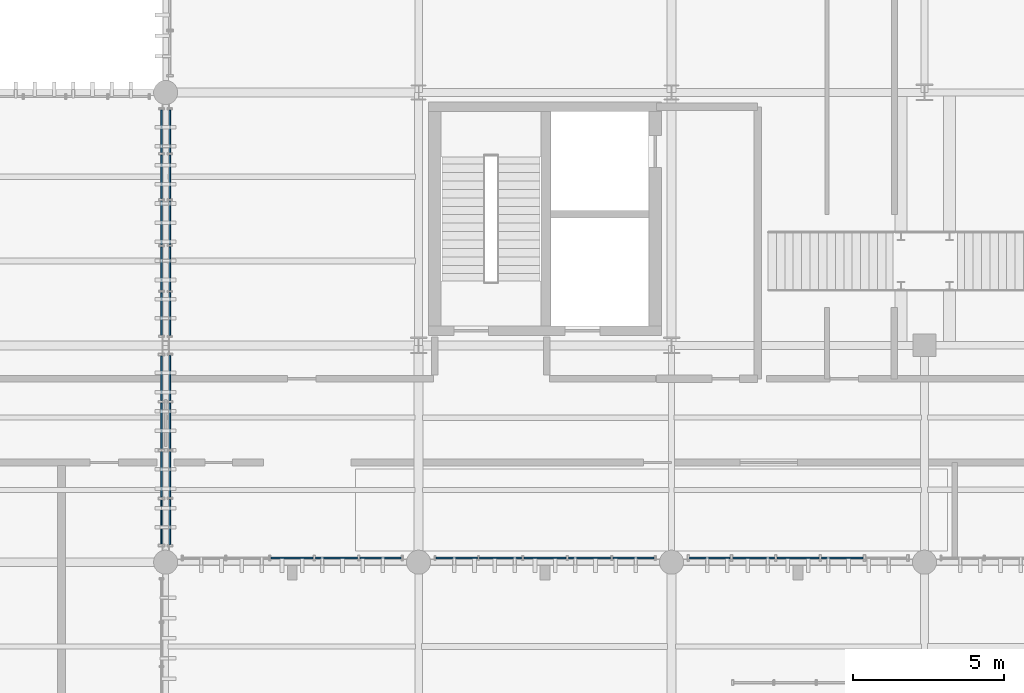
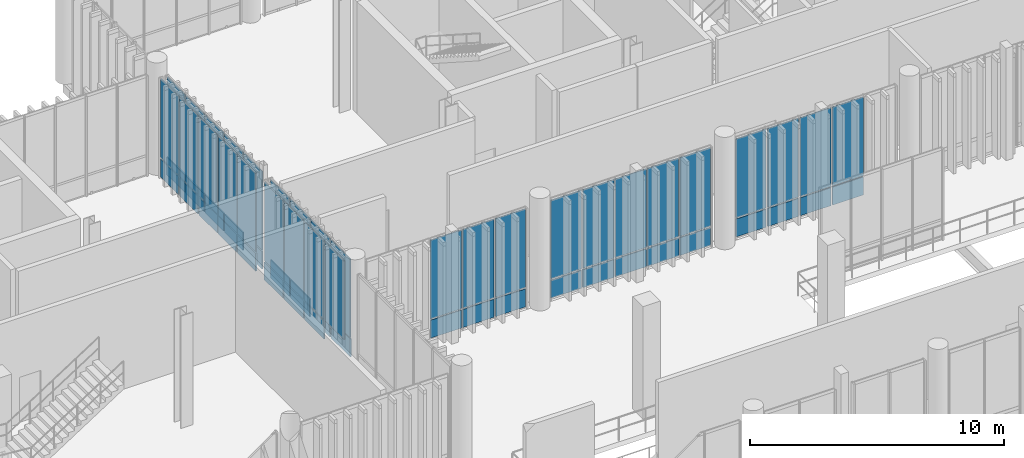
# One storey, part 96 of 128: 59 plates, 7 elements without a shape of their own.
"""IFC4 building model written with IfcOpenShell, lengths in metres."""

from ifc_helpers import new_model, si_unit, direction, frame, frame_2d, origin_with_axes, place, context, subcontext, project, spatial, rectangle, extrude, material, layer, layer_set, type_object, element, aggregate, save


model = new_model("IFC4")

# Units and contexts
model_context = context("Model", 3, precision=1e-05, world=origin_with_axes(), true_north=direction((0.0, 1.0)))
body_context = subcontext(model_context, "Body", "Model", "MODEL_VIEW")
ifc_project = project(units=[si_unit("LENGTHUNIT", "METRE"), si_unit("AREAUNIT", "SQUARE_METRE"), si_unit("VOLUMEUNIT", "CUBIC_METRE"), si_unit("PLANEANGLEUNIT", "RADIAN"), si_unit("MASSUNIT", "GRAM", prefix="KILO"), si_unit("THERMODYNAMICTEMPERATUREUNIT", "KELVIN")], contexts=[model_context])

# Site, building, storey
site_placement = place(None, origin_with_axes())
site = spatial("IfcSite", under=ifc_project, at=site_placement, CompositionType="ELEMENT")
building_placement = place(site_placement, origin_with_axes())
building = spatial("IfcBuilding", under=site, at=building_placement, Name="Montbau Bow Law Courts", CompositionType="ELEMENT")
storey_placement = place(building_placement, frame((0.0, 0.0, 5.4), z_axis=(0.0, 0.0, 1.0), x_axis=(1.0, 0.0, 0.0)))
storey = spatial("IfcBuildingStorey", under=building, at=storey_placement, Name="L01", CompositionType="ELEMENT", Elevation=5.4)

# Curtain wall, plates
ifc_material_1 = material(Name="Thermally Broken Extruded Aluminium AA 6063-T6", Category="aluminium")
curtain_wall_type_1 = type_object("IfcCurtainWallType", Name="CW-TRC-01", PredefinedType="NOTDEFINED", material=ifc_material_1)
curtain_wall_1_placement = place(None, frame((46.66, 39.515, 5.4), z_axis=(0.0, 0.0, 1.0), x_axis=(1.0, 0.0, 0.0)))
curtain_wall_1 = element("IfcCurtainWall", 1, at=curtain_wall_1_placement, inside=storey, type_object=curtain_wall_type_1, Name="CW-L01-030:cw_0030", PredefinedType="NOTDEFINED")
ifc_material_2 = material(Name="Triple-Glazed Low-E Argon Insulating Glass Unit", Category="glass")
ifc_layer_1 = layer(ifc_material_2, 0.044, Name="Curtain Panel", Category="glass")
ifc_layer_set_1 = layer_set([ifc_layer_1], Name="Triple-Glazed Low-E Argon Insulating Glass Unit")
plate_type_1 = type_object("IfcPlateType", Name="PL-CWP-01", PredefinedType="CURTAIN_PANEL", material=ifc_layer_set_1)
plate_1_placement = place(None, frame((46.66, 39.591, 6.382), z_axis=(1.0, 0.0, 0.0), x_axis=(0.0, 1.0, 0.0)))
plate_1 = element("IfcPlate", 2, at=plate_1_placement, type_object=plate_type_1, Name="CW-L01-030-P01-2:cw_0030_P01_2", PredefinedType="CURTAIN_PANEL", context=body_context, shape_type="SweptSolid", body=[
    extrude(rectangle(XDim=1.489, YDim=3.776, at=frame_2d((0.7445, 1.888), x_axis=(1.0, 0.0))), frame((0.0, 0.0, -0.022), z_axis=(0.0, 0.0, 1.0), x_axis=(1.0, 0.0, 0.0)), (0.0, 0.0, 1.0), 0.044),
])
plate_2_placement = place(None, frame((46.66, 41.159, 6.382), z_axis=(1.0, 0.0, 0.0), x_axis=(0.0, 1.0, 0.0)))
plate_2 = element("IfcPlate", 3, at=plate_2_placement, type_object=plate_type_1, Name="CW-L01-030-P02-2:cw_0030_P02_2", PredefinedType="CURTAIN_PANEL", context=body_context, shape_type="SweptSolid", body=[
    extrude(rectangle(XDim=1.526, YDim=3.776, at=frame_2d((0.763, 1.888), x_axis=(1.0, 0.0))), frame((0.0, 0.0, -0.022), z_axis=(0.0, 0.0, 1.0), x_axis=(1.0, 0.0, 0.0)), (0.0, 0.0, 1.0), 0.044),
])
plate_3_placement = place(None, frame((46.66, 42.763, 6.382), z_axis=(1.0, 0.0, 0.0), x_axis=(0.0, 1.0, 0.0)))
plate_3 = element("IfcPlate", 4, at=plate_3_placement, type_object=plate_type_1, Name="CW-L01-030-P03-2:cw_0030_P03_2", PredefinedType="CURTAIN_PANEL", context=body_context, shape_type="SweptSolid", body=[
    extrude(rectangle(XDim=1.526, YDim=3.776, at=frame_2d((0.763, 1.888), x_axis=(1.0, 0.0))), frame((0.0, 0.0, -0.022), z_axis=(0.0, 0.0, 1.0), x_axis=(1.0, 0.0, 0.0)), (0.0, 0.0, 1.0), 0.044),
])
plate_4_placement = place(None, frame((46.66, 44.367, 6.382), z_axis=(1.0, 0.0, 0.0), x_axis=(0.0, 1.0, 0.0)))
plate_4 = element("IfcPlate", 5, at=plate_4_placement, type_object=plate_type_1, Name="CW-L01-030-P04-2:cw_0030_P04_2", PredefinedType="CURTAIN_PANEL", context=body_context, shape_type="SweptSolid", body=[
    extrude(rectangle(XDim=1.489, YDim=3.776, at=frame_2d((0.7445, 1.888), x_axis=(1.0, 0.0))), frame((0.0, 0.0, -0.022), z_axis=(0.0, 0.0, 1.0), x_axis=(1.0, 0.0, 0.0)), (0.0, 0.0, 1.0), 0.044),
])

curtain_wall_2_placement = place(None, frame((46.66, 46.468, 5.4), z_axis=(0.0, 0.0, 1.0), x_axis=(1.0, 0.0, 0.0)))
curtain_wall_2 = element("IfcCurtainWall", 6, at=curtain_wall_2_placement, inside=storey, type_object=curtain_wall_type_1, Name="CW-L01-031:cw_0031", PredefinedType="NOTDEFINED")
plate_5_placement = place(None, frame((46.66, 46.536, 6.379), z_axis=(1.0, 0.0, 0.0), x_axis=(0.0, 1.0, 0.0)))
plate_5 = element("IfcPlate", 7, at=plate_5_placement, type_object=plate_type_1, Name="CW-L01-031-P01-2:cw_0031_P01_2", PredefinedType="CURTAIN_PANEL", context=body_context, shape_type="SweptSolid", body=[
    extrude(rectangle(XDim=1.42, YDim=3.784, at=frame_2d((0.71, 1.892), x_axis=(1.0, 0.0))), frame((0.0, 0.0, -0.022), z_axis=(0.0, 0.0, 1.0), x_axis=(1.0, 0.0, 0.0)), (0.0, 0.0, 1.0), 0.044),
])
plate_6_placement = place(None, frame((46.66, 48.025, 6.379), z_axis=(1.0, 0.0, 0.0), x_axis=(0.0, 1.0, 0.0)))
plate_6 = element("IfcPlate", 8, at=plate_6_placement, type_object=plate_type_1, Name="CW-L01-031-P02-2:cw_0031_P02_2", PredefinedType="CURTAIN_PANEL", context=body_context, shape_type="SweptSolid", body=[
    extrude(rectangle(XDim=1.456, YDim=3.784, at=frame_2d((0.728, 1.892), x_axis=(1.0, 0.0))), frame((0.0, 0.0, -0.022), z_axis=(0.0, 0.0, 1.0), x_axis=(1.0, 0.0, 0.0)), (0.0, 0.0, 1.0), 0.044),
])
plate_7_placement = place(None, frame((46.66, 49.55, 6.379), z_axis=(1.0, 0.0, 0.0), x_axis=(0.0, 1.0, 0.0)))
plate_7 = element("IfcPlate", 9, at=plate_7_placement, type_object=plate_type_1, Name="CW-L01-031-P03-2:cw_0031_P03_2", PredefinedType="CURTAIN_PANEL", context=body_context, shape_type="SweptSolid", body=[
    extrude(rectangle(XDim=1.454, YDim=3.784, at=frame_2d((0.727, 1.892), x_axis=(1.0, 0.0))), frame((0.0, 0.0, -0.022), z_axis=(0.0, 0.0, 1.0), x_axis=(1.0, 0.0, 0.0)), (0.0, 0.0, 1.0), 0.044),
])
plate_8_placement = place(None, frame((46.66, 51.072, 6.379), z_axis=(1.0, 0.0, 0.0), x_axis=(0.0, 1.0, 0.0)))
plate_8 = element("IfcPlate", 10, at=plate_8_placement, type_object=plate_type_1, Name="CW-L01-031-P04-2:cw_0031_P04_2", PredefinedType="CURTAIN_PANEL", context=body_context, shape_type="SweptSolid", body=[
    extrude(rectangle(XDim=1.456, YDim=3.784, at=frame_2d((0.728, 1.892), x_axis=(1.0, 0.0))), frame((0.0, 0.0, -0.022), z_axis=(0.0, 0.0, 1.0), x_axis=(1.0, 0.0, 0.0)), (0.0, 0.0, 1.0), 0.044),
])
plate_9_placement = place(None, frame((46.66, 52.596, 6.379), z_axis=(1.0, 0.0, 0.0), x_axis=(0.0, 1.0, 0.0)))
plate_9 = element("IfcPlate", 11, at=plate_9_placement, type_object=plate_type_1, Name="CW-L01-031-P05-2:cw_0031_P05_2", PredefinedType="CURTAIN_PANEL", context=body_context, shape_type="SweptSolid", body=[
    extrude(rectangle(XDim=1.422, YDim=3.784, at=frame_2d((0.711, 1.892), x_axis=(1.0, 0.0))), frame((0.0, 0.0, -0.022), z_axis=(0.0, 0.0, 1.0), x_axis=(1.0, 0.0, 0.0)), (0.0, 0.0, 1.0), 0.044),
])

curtain_wall_type_2 = type_object("IfcCurtainWallType", Name="CW-CRM-01", PredefinedType="NOTDEFINED", material=ifc_material_1)
curtain_wall_3_placement = place(None, frame((47.315, 39.14, 5.4), z_axis=(0.0, 0.0, 1.0), x_axis=(1.0, 0.0, 0.0)))
curtain_wall_3 = element("IfcCurtainWall", 12, at=curtain_wall_3_placement, inside=storey, type_object=curtain_wall_type_2, Name="CW-L01-139:cw_0139", PredefinedType="NOTDEFINED")
plate_10_placement = place(None, frame((50.297, 39.14, 6.379), z_axis=(0.0, -1.0, 0.0), x_axis=(1.0, 0.0, 0.0)))
plate_10 = element("IfcPlate", 13, at=plate_10_placement, type_object=plate_type_1, Name="CW-L01-139-P03-2:cw_0139_P03_2", PredefinedType="CURTAIN_PANEL", context=body_context, shape_type="SweptSolid", body=[
    extrude(rectangle(XDim=1.406, YDim=3.784, at=frame_2d((0.703, 1.892), x_axis=(1.0, 0.0))), frame((0.0, 0.0, -0.022), z_axis=(0.0, 0.0, 1.0), x_axis=(1.0, 0.0, 0.0)), (0.0, 0.0, 1.0), 0.044),
])
plate_11_placement = place(None, frame((51.771, 39.14, 6.379), z_axis=(0.0, -1.0, 0.0), x_axis=(1.0, 0.0, 0.0)))
plate_11 = element("IfcPlate", 14, at=plate_11_placement, type_object=plate_type_1, Name="CW-L01-139-P04-2:cw_0139_P04_2", PredefinedType="CURTAIN_PANEL", context=body_context, shape_type="SweptSolid", body=[
    extrude(rectangle(XDim=1.406, YDim=3.784, at=frame_2d((0.703, 1.892), x_axis=(1.0, 0.0))), frame((0.0, 0.0, -0.022), z_axis=(0.0, 0.0, 1.0), x_axis=(1.0, 0.0, 0.0)), (0.0, 0.0, 1.0), 0.044),
])
plate_12_placement = place(None, frame((53.245, 39.14, 6.379), z_axis=(0.0, -1.0, 0.0), x_axis=(1.0, 0.0, 0.0)))
plate_12 = element("IfcPlate", 15, at=plate_12_placement, type_object=plate_type_1, Name="CW-L01-139-P05-2:cw_0139_P05_2", PredefinedType="CURTAIN_PANEL", context=body_context, shape_type="SweptSolid", body=[
    extrude(rectangle(XDim=1.374, YDim=3.784, at=frame_2d((0.687, 1.892), x_axis=(1.0, 0.0))), frame((0.0, 0.0, -0.022), z_axis=(0.0, 0.0, 1.0), x_axis=(1.0, 0.0, 0.0)), (0.0, 0.0, 1.0), 0.044),
])

curtain_wall_4_placement = place(None, frame((55.715, 39.14, 5.4), z_axis=(0.0, 0.0, 1.0), x_axis=(1.0, 0.0, 0.0)))
curtain_wall_4 = element("IfcCurtainWall", 16, at=curtain_wall_4_placement, inside=storey, type_object=curtain_wall_type_2, Name="CW-L01-140:cw_0140", PredefinedType="NOTDEFINED")
plate_13_placement = place(None, frame((55.777, 39.14, 6.382), z_axis=(0.0, -1.0, 0.0), x_axis=(1.0, 0.0, 0.0)))
plate_13 = element("IfcPlate", 17, at=plate_13_placement, type_object=plate_type_1, Name="CW-L01-140-P01-2:cw_0140_P01_2", PredefinedType="CURTAIN_PANEL", context=body_context, shape_type="SweptSolid", body=[
    extrude(rectangle(XDim=1.38, YDim=3.776, at=frame_2d((0.69, 1.888), x_axis=(1.0, 0.0))), frame((0.0, 0.0, -0.022), z_axis=(0.0, 0.0, 1.0), x_axis=(1.0, 0.0, 0.0)), (0.0, 0.0, 1.0), 0.044),
])
plate_14_placement = place(None, frame((57.221, 39.14, 6.382), z_axis=(0.0, -1.0, 0.0), x_axis=(1.0, 0.0, 0.0)))
plate_14 = element("IfcPlate", 18, at=plate_14_placement, type_object=plate_type_1, Name="CW-L01-140-P02-2:cw_0140_P02_2", PredefinedType="CURTAIN_PANEL", context=body_context, shape_type="SweptSolid", body=[
    extrude(rectangle(XDim=1.41, YDim=3.776, at=frame_2d((0.705, 1.888), x_axis=(1.0, 0.0))), frame((0.0, 0.0, -0.022), z_axis=(0.0, 0.0, 1.0), x_axis=(1.0, 0.0, 0.0)), (0.0, 0.0, 1.0), 0.044),
])
plate_15_placement = place(None, frame((58.695, 39.14, 6.382), z_axis=(0.0, -1.0, 0.0), x_axis=(1.0, 0.0, 0.0)))
plate_15 = element("IfcPlate", 19, at=plate_15_placement, type_object=plate_type_1, Name="CW-L01-140-P03-2:cw_0140_P03_2", PredefinedType="CURTAIN_PANEL", context=body_context, shape_type="SweptSolid", body=[
    extrude(rectangle(XDim=1.41, YDim=3.776, at=frame_2d((0.705, 1.888), x_axis=(1.0, 0.0))), frame((0.0, 0.0, -0.022), z_axis=(0.0, 0.0, 1.0), x_axis=(1.0, 0.0, 0.0)), (0.0, 0.0, 1.0), 0.044),
])
plate_16_placement = place(None, frame((60.169, 39.14, 6.382), z_axis=(0.0, -1.0, 0.0), x_axis=(1.0, 0.0, 0.0)))
plate_16 = element("IfcPlate", 20, at=plate_16_placement, type_object=plate_type_1, Name="CW-L01-140-P04-2:cw_0140_P04_2", PredefinedType="CURTAIN_PANEL", context=body_context, shape_type="SweptSolid", body=[
    extrude(rectangle(XDim=1.41, YDim=3.776, at=frame_2d((0.705, 1.888), x_axis=(1.0, 0.0))), frame((0.0, 0.0, -0.022), z_axis=(0.0, 0.0, 1.0), x_axis=(1.0, 0.0, 0.0)), (0.0, 0.0, 1.0), 0.044),
])
plate_17_placement = place(None, frame((61.643, 39.14, 6.382), z_axis=(0.0, -1.0, 0.0), x_axis=(1.0, 0.0, 0.0)))
plate_17 = element("IfcPlate", 21, at=plate_17_placement, type_object=plate_type_1, Name="CW-L01-140-P05-2:cw_0140_P05_2", PredefinedType="CURTAIN_PANEL", context=body_context, shape_type="SweptSolid", body=[
    extrude(rectangle(XDim=1.38, YDim=3.776, at=frame_2d((0.69, 1.888), x_axis=(1.0, 0.0))), frame((0.0, 0.0, -0.022), z_axis=(0.0, 0.0, 1.0), x_axis=(1.0, 0.0, 0.0)), (0.0, 0.0, 1.0), 0.044),
])

curtain_wall_5_placement = place(None, frame((64.115, 39.14, 5.4), z_axis=(0.0, 0.0, 1.0), x_axis=(1.0, 0.0, 0.0)))
curtain_wall_5 = element("IfcCurtainWall", 22, at=curtain_wall_5_placement, inside=storey, type_object=curtain_wall_type_2, Name="CW-L01-141:cw_0141", PredefinedType="NOTDEFINED")
plate_18_placement = place(None, frame((64.191, 39.14, 6.379), z_axis=(0.0, -1.0, 0.0), x_axis=(1.0, 0.0, 0.0)))
plate_18 = element("IfcPlate", 23, at=plate_18_placement, type_object=plate_type_1, Name="CW-L01-141-P01-2:cw_0141_P01_2", PredefinedType="CURTAIN_PANEL", context=body_context, shape_type="SweptSolid", body=[
    extrude(rectangle(XDim=1.358, YDim=3.784, at=frame_2d((0.679, 1.892), x_axis=(1.0, 0.0))), frame((0.0, 0.0, -0.022), z_axis=(0.0, 0.0, 1.0), x_axis=(1.0, 0.0, 0.0)), (0.0, 0.0, 1.0), 0.044),
])
plate_19_placement = place(None, frame((65.629, 39.14, 6.379), z_axis=(0.0, -1.0, 0.0), x_axis=(1.0, 0.0, 0.0)))
plate_19 = element("IfcPlate", 24, at=plate_19_placement, type_object=plate_type_1, Name="CW-L01-141-P02-2:cw_0141_P02_2", PredefinedType="CURTAIN_PANEL", context=body_context, shape_type="SweptSolid", body=[
    extrude(rectangle(XDim=1.395, YDim=3.784, at=frame_2d((0.6975, 1.892), x_axis=(1.0, 0.0))), frame((0.0, 0.0, -0.022), z_axis=(0.0, 0.0, 1.0), x_axis=(1.0, 0.0, 0.0)), (0.0, 0.0, 1.0), 0.044),
])
plate_20_placement = place(None, frame((67.102, 39.14, 6.379), z_axis=(0.0, -1.0, 0.0), x_axis=(1.0, 0.0, 0.0)))
plate_20 = element("IfcPlate", 25, at=plate_20_placement, type_object=plate_type_1, Name="CW-L01-141-P03-2:cw_0141_P03_2", PredefinedType="CURTAIN_PANEL", context=body_context, shape_type="SweptSolid", body=[
    extrude(rectangle(XDim=1.396, YDim=3.784, at=frame_2d((0.698, 1.892), x_axis=(1.0, 0.0))), frame((0.0, 0.0, -0.022), z_axis=(0.0, 0.0, 1.0), x_axis=(1.0, 0.0, 0.0)), (0.0, 0.0, 1.0), 0.044),
])
plate_21_placement = place(None, frame((68.576, 39.14, 6.379), z_axis=(0.0, -1.0, 0.0), x_axis=(1.0, 0.0, 0.0)))
plate_21 = element("IfcPlate", 26, at=plate_21_placement, type_object=plate_type_1, Name="CW-L01-141-P04-2:cw_0141_P04_2", PredefinedType="CURTAIN_PANEL", context=body_context, shape_type="SweptSolid", body=[
    extrude(rectangle(XDim=1.396, YDim=3.784, at=frame_2d((0.698, 1.892), x_axis=(1.0, 0.0))), frame((0.0, 0.0, -0.022), z_axis=(0.0, 0.0, 1.0), x_axis=(1.0, 0.0, 0.0)), (0.0, 0.0, 1.0), 0.044),
])

curtain_wall_6_placement = place(None, frame((46.94, 39.515, 5.4), z_axis=(0.0, 0.0, 1.0), x_axis=(1.0, 0.0, 0.0)))
curtain_wall_6 = element("IfcCurtainWall", 27, at=curtain_wall_6_placement, inside=storey, type_object=curtain_wall_type_2, Name="CW-L01-151:cw_0151", PredefinedType="NOTDEFINED")
plate_22_placement = place(None, frame((46.94, 39.583, 6.379), z_axis=(1.0, 0.0, 0.0), x_axis=(0.0, 1.0, 0.0)))
plate_22 = element("IfcPlate", 28, at=plate_22_placement, type_object=plate_type_1, Name="CW-L01-151-P01-2:cw_0151_P01_2", PredefinedType="CURTAIN_PANEL", context=body_context, shape_type="SweptSolid", body=[
    extrude(rectangle(XDim=1.502, YDim=3.784, at=frame_2d((0.751, 1.892), x_axis=(1.0, 0.0))), frame((0.0, 0.0, -0.022), z_axis=(0.0, 0.0, 1.0), x_axis=(1.0, 0.0, 0.0)), (0.0, 0.0, 1.0), 0.044),
])
plate_23_placement = place(None, frame((46.94, 41.154, 6.379), z_axis=(1.0, 0.0, 0.0), x_axis=(0.0, 1.0, 0.0)))
plate_23 = element("IfcPlate", 29, at=plate_23_placement, type_object=plate_type_1, Name="CW-L01-151-P02-2:cw_0151_P02_2", PredefinedType="CURTAIN_PANEL", context=body_context, shape_type="SweptSolid", body=[
    extrude(rectangle(XDim=1.536, YDim=3.784, at=frame_2d((0.768, 1.892), x_axis=(1.0, 0.0))), frame((0.0, 0.0, -0.022), z_axis=(0.0, 0.0, 1.0), x_axis=(1.0, 0.0, 0.0)), (0.0, 0.0, 1.0), 0.044),
])
plate_24_placement = place(None, frame((46.94, 42.759, 6.379), z_axis=(1.0, 0.0, 0.0), x_axis=(0.0, 1.0, 0.0)))
plate_24 = element("IfcPlate", 30, at=plate_24_placement, type_object=plate_type_1, Name="CW-L01-151-P03-2:cw_0151_P03_2", PredefinedType="CURTAIN_PANEL", context=body_context, shape_type="SweptSolid", body=[
    extrude(rectangle(XDim=1.535, YDim=3.784, at=frame_2d((0.7675, 1.892), x_axis=(1.0, 0.0))), frame((0.0, 0.0, -0.022), z_axis=(0.0, 0.0, 1.0), x_axis=(1.0, 0.0, 0.0)), (0.0, 0.0, 1.0), 0.044),
])
plate_25_placement = place(None, frame((46.94, 44.362, 6.379), z_axis=(1.0, 0.0, 0.0), x_axis=(0.0, 1.0, 0.0)))
plate_25 = element("IfcPlate", 31, at=plate_25_placement, type_object=plate_type_1, Name="CW-L01-151-P04-2:cw_0151_P04_2", PredefinedType="CURTAIN_PANEL", context=body_context, shape_type="SweptSolid", body=[
    extrude(rectangle(XDim=1.504, YDim=3.784, at=frame_2d((0.752, 1.892), x_axis=(1.0, 0.0))), frame((0.0, 0.0, -0.022), z_axis=(0.0, 0.0, 1.0), x_axis=(1.0, 0.0, 0.0)), (0.0, 0.0, 1.0), 0.044),
])

curtain_wall_7_placement = place(None, frame((46.94, 46.468, 5.4), z_axis=(0.0, 0.0, 1.0), x_axis=(1.0, 0.0, 0.0)))
curtain_wall_7 = element("IfcCurtainWall", 32, at=curtain_wall_7_placement, inside=storey, type_object=curtain_wall_type_2, Name="CW-L01-152:cw_0152", PredefinedType="NOTDEFINED")
plate_26_placement = place(None, frame((46.94, 46.53, 6.382), z_axis=(1.0, 0.0, 0.0), x_axis=(0.0, 1.0, 0.0)))
plate_26 = element("IfcPlate", 33, at=plate_26_placement, type_object=plate_type_1, Name="CW-L01-152-P01-2:cw_0152_P01_2", PredefinedType="CURTAIN_PANEL", context=body_context, shape_type="SweptSolid", body=[
    extrude(rectangle(XDim=1.429, YDim=3.776, at=frame_2d((0.7145, 1.888), x_axis=(1.0, 0.0))), frame((0.0, 0.0, -0.022), z_axis=(0.0, 0.0, 1.0), x_axis=(1.0, 0.0, 0.0)), (0.0, 0.0, 1.0), 0.044),
])
plate_27_placement = place(None, frame((46.94, 48.023, 6.382), z_axis=(1.0, 0.0, 0.0), x_axis=(0.0, 1.0, 0.0)))
plate_27 = element("IfcPlate", 34, at=plate_27_placement, type_object=plate_type_1, Name="CW-L01-152-P02-2:cw_0152_P02_2", PredefinedType="CURTAIN_PANEL", context=body_context, shape_type="SweptSolid", body=[
    extrude(rectangle(XDim=1.46, YDim=3.776, at=frame_2d((0.73, 1.888), x_axis=(1.0, 0.0))), frame((0.0, 0.0, -0.022), z_axis=(0.0, 0.0, 1.0), x_axis=(1.0, 0.0, 0.0)), (0.0, 0.0, 1.0), 0.044),
])
plate_28_placement = place(None, frame((46.94, 49.547, 6.382), z_axis=(1.0, 0.0, 0.0), x_axis=(0.0, 1.0, 0.0)))
plate_28 = element("IfcPlate", 35, at=plate_28_placement, type_object=plate_type_1, Name="CW-L01-152-P03-2:cw_0152_P03_2", PredefinedType="CURTAIN_PANEL", context=body_context, shape_type="SweptSolid", body=[
    extrude(rectangle(XDim=1.459, YDim=3.776, at=frame_2d((0.7295, 1.888), x_axis=(1.0, 0.0))), frame((0.0, 0.0, -0.022), z_axis=(0.0, 0.0, 1.0), x_axis=(1.0, 0.0, 0.0)), (0.0, 0.0, 1.0), 0.044),
])
plate_29_placement = place(None, frame((46.94, 51.07, 6.382), z_axis=(1.0, 0.0, 0.0), x_axis=(0.0, 1.0, 0.0)))
plate_29 = element("IfcPlate", 36, at=plate_29_placement, type_object=plate_type_1, Name="CW-L01-152-P04-2:cw_0152_P04_2", PredefinedType="CURTAIN_PANEL", context=body_context, shape_type="SweptSolid", body=[
    extrude(rectangle(XDim=1.46, YDim=3.776, at=frame_2d((0.73, 1.888), x_axis=(1.0, 0.0))), frame((0.0, 0.0, -0.022), z_axis=(0.0, 0.0, 1.0), x_axis=(1.0, 0.0, 0.0)), (0.0, 0.0, 1.0), 0.044),
])
plate_30_placement = place(None, frame((46.94, 52.594, 6.382), z_axis=(1.0, 0.0, 0.0), x_axis=(0.0, 1.0, 0.0)))
plate_30 = element("IfcPlate", 37, at=plate_30_placement, type_object=plate_type_1, Name="CW-L01-152-P05-2:cw_0152_P05_2", PredefinedType="CURTAIN_PANEL", context=body_context, shape_type="SweptSolid", body=[
    extrude(rectangle(XDim=1.429, YDim=3.776, at=frame_2d((0.7145, 1.888), x_axis=(1.0, 0.0))), frame((0.0, 0.0, -0.022), z_axis=(0.0, 0.0, 1.0), x_axis=(1.0, 0.0, 0.0)), (0.0, 0.0, 1.0), 0.044),
])

# Plate
ifc_material_3 = material(Name="Insulated Ceramic-Frit Spandrel Glazing Unit", Category="glass")
ifc_layer_2 = layer(ifc_material_3, 0.056, Name="Curtain Panel", Category="glass")
ifc_layer_set_2 = layer_set([ifc_layer_2], Name="Insulated Ceramic-Frit Spandrel Glazing Unit")
plate_type_2 = type_object("IfcPlateType", Name="PL-CWP-02", PredefinedType="CURTAIN_PANEL", material=ifc_layer_set_2)
plate_31_placement = place(None, frame((46.66, 41.159, 5.462), z_axis=(1.0, 0.0, 0.0), x_axis=(0.0, 1.0, 0.0)))
plate_31 = element("IfcPlate", 38, at=plate_31_placement, type_object=plate_type_2, Name="CW-L01-030-P02-1:cw_0030_P02_1", PredefinedType="CURTAIN_PANEL", context=body_context, shape_type="SweptSolid", body=[
    extrude(rectangle(XDim=1.526, YDim=0.856, at=frame_2d((0.763, 0.428), x_axis=(1.0, 0.0))), frame((0.0, 0.0, -0.028), z_axis=(0.0, 0.0, 1.0), x_axis=(1.0, 0.0, 0.0)), (0.0, 0.0, 1.0), 0.056),
])

plate_32_placement = place(None, frame((46.66, 42.763, 5.462), z_axis=(1.0, 0.0, 0.0), x_axis=(0.0, 1.0, 0.0)))
plate_32 = element("IfcPlate", 39, at=plate_32_placement, type_object=plate_type_2, Name="CW-L01-030-P03-1:cw_0030_P03_1", PredefinedType="CURTAIN_PANEL", context=body_context, shape_type="SweptSolid", body=[
    extrude(rectangle(XDim=1.526, YDim=0.856, at=frame_2d((0.763, 0.428), x_axis=(1.0, 0.0))), frame((0.0, 0.0, -0.028), z_axis=(0.0, 0.0, 1.0), x_axis=(1.0, 0.0, 0.0)), (0.0, 0.0, 1.0), 0.056),
])

plate_33_placement = place(None, frame((46.66, 44.367, 5.462), z_axis=(1.0, 0.0, 0.0), x_axis=(0.0, 1.0, 0.0)))
plate_33 = element("IfcPlate", 40, at=plate_33_placement, type_object=plate_type_2, Name="CW-L01-030-P04-1:cw_0030_P04_1", PredefinedType="CURTAIN_PANEL", context=body_context, shape_type="SweptSolid", body=[
    extrude(rectangle(XDim=1.489, YDim=0.856, at=frame_2d((0.7445, 0.428), x_axis=(1.0, 0.0))), frame((0.0, 0.0, -0.028), z_axis=(0.0, 0.0, 1.0), x_axis=(1.0, 0.0, 0.0)), (0.0, 0.0, 1.0), 0.056),
])

aggregate(curtain_wall_1, [plate_1, plate_31, plate_2, plate_32, plate_3, plate_33, plate_4])

plate_34_placement = place(None, frame((46.66, 46.536, 5.457), z_axis=(1.0, 0.0, 0.0), x_axis=(0.0, 1.0, 0.0)))
plate_34 = element("IfcPlate", 41, at=plate_34_placement, type_object=plate_type_2, Name="CW-L01-031-P01-1:cw_0031_P01_1", PredefinedType="CURTAIN_PANEL", context=body_context, shape_type="SweptSolid", body=[
    extrude(rectangle(XDim=1.42, YDim=0.864, at=frame_2d((0.71, 0.432), x_axis=(1.0, 0.0))), frame((0.0, 0.0, -0.028), z_axis=(0.0, 0.0, 1.0), x_axis=(1.0, 0.0, 0.0)), (0.0, 0.0, 1.0), 0.056),
])

plate_35_placement = place(None, frame((46.66, 48.025, 5.457), z_axis=(1.0, 0.0, 0.0), x_axis=(0.0, 1.0, 0.0)))
plate_35 = element("IfcPlate", 42, at=plate_35_placement, type_object=plate_type_2, Name="CW-L01-031-P02-1:cw_0031_P02_1", PredefinedType="CURTAIN_PANEL", context=body_context, shape_type="SweptSolid", body=[
    extrude(rectangle(XDim=1.456, YDim=0.864, at=frame_2d((0.728, 0.432), x_axis=(1.0, 0.0))), frame((0.0, 0.0, -0.028), z_axis=(0.0, 0.0, 1.0), x_axis=(1.0, 0.0, 0.0)), (0.0, 0.0, 1.0), 0.056),
])

plate_36_placement = place(None, frame((46.66, 49.55, 5.457), z_axis=(1.0, 0.0, 0.0), x_axis=(0.0, 1.0, 0.0)))
plate_36 = element("IfcPlate", 43, at=plate_36_placement, type_object=plate_type_2, Name="CW-L01-031-P03-1:cw_0031_P03_1", PredefinedType="CURTAIN_PANEL", context=body_context, shape_type="SweptSolid", body=[
    extrude(rectangle(XDim=1.454, YDim=0.864, at=frame_2d((0.727, 0.432), x_axis=(1.0, 0.0))), frame((0.0, 0.0, -0.028), z_axis=(0.0, 0.0, 1.0), x_axis=(1.0, 0.0, 0.0)), (0.0, 0.0, 1.0), 0.056),
])

plate_37_placement = place(None, frame((46.66, 51.072, 5.457), z_axis=(1.0, 0.0, 0.0), x_axis=(0.0, 1.0, 0.0)))
plate_37 = element("IfcPlate", 44, at=plate_37_placement, type_object=plate_type_2, Name="CW-L01-031-P04-1:cw_0031_P04_1", PredefinedType="CURTAIN_PANEL", context=body_context, shape_type="SweptSolid", body=[
    extrude(rectangle(XDim=1.456, YDim=0.864, at=frame_2d((0.728, 0.432), x_axis=(1.0, 0.0))), frame((0.0, 0.0, -0.028), z_axis=(0.0, 0.0, 1.0), x_axis=(1.0, 0.0, 0.0)), (0.0, 0.0, 1.0), 0.056),
])

plate_38_placement = place(None, frame((46.66, 52.596, 5.457), z_axis=(1.0, 0.0, 0.0), x_axis=(0.0, 1.0, 0.0)))
plate_38 = element("IfcPlate", 45, at=plate_38_placement, type_object=plate_type_2, Name="CW-L01-031-P05-1:cw_0031_P05_1", PredefinedType="CURTAIN_PANEL", context=body_context, shape_type="SweptSolid", body=[
    extrude(rectangle(XDim=1.422, YDim=0.864, at=frame_2d((0.711, 0.432), x_axis=(1.0, 0.0))), frame((0.0, 0.0, -0.028), z_axis=(0.0, 0.0, 1.0), x_axis=(1.0, 0.0, 0.0)), (0.0, 0.0, 1.0), 0.056),
])

aggregate(curtain_wall_2, [plate_34, plate_5, plate_35, plate_6, plate_36, plate_7, plate_37, plate_8, plate_38, plate_9])

plate_39_placement = place(None, frame((50.297, 39.14, 5.457), z_axis=(0.0, -1.0, 0.0), x_axis=(1.0, 0.0, 0.0)))
plate_39 = element("IfcPlate", 46, at=plate_39_placement, type_object=plate_type_2, Name="CW-L01-139-P03-1:cw_0139_P03_1", PredefinedType="CURTAIN_PANEL", context=body_context, shape_type="SweptSolid", body=[
    extrude(rectangle(XDim=1.406, YDim=0.864, at=frame_2d((0.703, 0.432), x_axis=(1.0, 0.0))), frame((0.0, 0.0, -0.028), z_axis=(0.0, 0.0, 1.0), x_axis=(1.0, 0.0, 0.0)), (0.0, 0.0, 1.0), 0.056),
])

plate_40_placement = place(None, frame((51.771, 39.14, 5.457), z_axis=(0.0, -1.0, 0.0), x_axis=(1.0, 0.0, 0.0)))
plate_40 = element("IfcPlate", 47, at=plate_40_placement, type_object=plate_type_2, Name="CW-L01-139-P04-1:cw_0139_P04_1", PredefinedType="CURTAIN_PANEL", context=body_context, shape_type="SweptSolid", body=[
    extrude(rectangle(XDim=1.406, YDim=0.864, at=frame_2d((0.703, 0.432), x_axis=(1.0, 0.0))), frame((0.0, 0.0, -0.028), z_axis=(0.0, 0.0, 1.0), x_axis=(1.0, 0.0, 0.0)), (0.0, 0.0, 1.0), 0.056),
])

plate_41_placement = place(None, frame((53.245, 39.14, 5.457), z_axis=(0.0, -1.0, 0.0), x_axis=(1.0, 0.0, 0.0)))
plate_41 = element("IfcPlate", 48, at=plate_41_placement, type_object=plate_type_2, Name="CW-L01-139-P05-1:cw_0139_P05_1", PredefinedType="CURTAIN_PANEL", context=body_context, shape_type="SweptSolid", body=[
    extrude(rectangle(XDim=1.374, YDim=0.864, at=frame_2d((0.687, 0.432), x_axis=(1.0, 0.0))), frame((0.0, 0.0, -0.028), z_axis=(0.0, 0.0, 1.0), x_axis=(1.0, 0.0, 0.0)), (0.0, 0.0, 1.0), 0.056),
])

aggregate(curtain_wall_3, [plate_39, plate_10, plate_40, plate_11, plate_41, plate_12])

plate_42_placement = place(None, frame((55.777, 39.14, 5.462), z_axis=(0.0, -1.0, 0.0), x_axis=(1.0, 0.0, 0.0)))
plate_42 = element("IfcPlate", 49, at=plate_42_placement, type_object=plate_type_2, Name="CW-L01-140-P01-1:cw_0140_P01_1", PredefinedType="CURTAIN_PANEL", context=body_context, shape_type="SweptSolid", body=[
    extrude(rectangle(XDim=1.38, YDim=0.856, at=frame_2d((0.69, 0.428), x_axis=(1.0, 0.0))), frame((0.0, 0.0, -0.028), z_axis=(0.0, 0.0, 1.0), x_axis=(1.0, 0.0, 0.0)), (0.0, 0.0, 1.0), 0.056),
])

plate_43_placement = place(None, frame((57.221, 39.14, 5.462), z_axis=(0.0, -1.0, 0.0), x_axis=(1.0, 0.0, 0.0)))
plate_43 = element("IfcPlate", 50, at=plate_43_placement, type_object=plate_type_2, Name="CW-L01-140-P02-1:cw_0140_P02_1", PredefinedType="CURTAIN_PANEL", context=body_context, shape_type="SweptSolid", body=[
    extrude(rectangle(XDim=1.41, YDim=0.856, at=frame_2d((0.705, 0.428), x_axis=(1.0, 0.0))), frame((0.0, 0.0, -0.028), z_axis=(0.0, 0.0, 1.0), x_axis=(1.0, 0.0, 0.0)), (0.0, 0.0, 1.0), 0.056),
])

plate_44_placement = place(None, frame((58.695, 39.14, 5.462), z_axis=(0.0, -1.0, 0.0), x_axis=(1.0, 0.0, 0.0)))
plate_44 = element("IfcPlate", 51, at=plate_44_placement, type_object=plate_type_2, Name="CW-L01-140-P03-1:cw_0140_P03_1", PredefinedType="CURTAIN_PANEL", context=body_context, shape_type="SweptSolid", body=[
    extrude(rectangle(XDim=1.41, YDim=0.856, at=frame_2d((0.705, 0.428), x_axis=(1.0, 0.0))), frame((0.0, 0.0, -0.028), z_axis=(0.0, 0.0, 1.0), x_axis=(1.0, 0.0, 0.0)), (0.0, 0.0, 1.0), 0.056),
])

plate_45_placement = place(None, frame((60.169, 39.14, 5.462), z_axis=(0.0, -1.0, 0.0), x_axis=(1.0, 0.0, 0.0)))
plate_45 = element("IfcPlate", 52, at=plate_45_placement, type_object=plate_type_2, Name="CW-L01-140-P04-1:cw_0140_P04_1", PredefinedType="CURTAIN_PANEL", context=body_context, shape_type="SweptSolid", body=[
    extrude(rectangle(XDim=1.41, YDim=0.856, at=frame_2d((0.705, 0.428), x_axis=(1.0, 0.0))), frame((0.0, 0.0, -0.028), z_axis=(0.0, 0.0, 1.0), x_axis=(1.0, 0.0, 0.0)), (0.0, 0.0, 1.0), 0.056),
])

plate_46_placement = place(None, frame((61.643, 39.14, 5.462), z_axis=(0.0, -1.0, 0.0), x_axis=(1.0, 0.0, 0.0)))
plate_46 = element("IfcPlate", 53, at=plate_46_placement, type_object=plate_type_2, Name="CW-L01-140-P05-1:cw_0140_P05_1", PredefinedType="CURTAIN_PANEL", context=body_context, shape_type="SweptSolid", body=[
    extrude(rectangle(XDim=1.38, YDim=0.856, at=frame_2d((0.69, 0.428), x_axis=(1.0, 0.0))), frame((0.0, 0.0, -0.028), z_axis=(0.0, 0.0, 1.0), x_axis=(1.0, 0.0, 0.0)), (0.0, 0.0, 1.0), 0.056),
])

aggregate(curtain_wall_4, [plate_42, plate_13, plate_43, plate_14, plate_44, plate_15, plate_45, plate_16, plate_46, plate_17])

plate_47_placement = place(None, frame((64.191, 39.14, 5.457), z_axis=(0.0, -1.0, 0.0), x_axis=(1.0, 0.0, 0.0)))
plate_47 = element("IfcPlate", 54, at=plate_47_placement, type_object=plate_type_2, Name="CW-L01-141-P01-1:cw_0141_P01_1", PredefinedType="CURTAIN_PANEL", context=body_context, shape_type="SweptSolid", body=[
    extrude(rectangle(XDim=1.358, YDim=0.864, at=frame_2d((0.679, 0.432), x_axis=(1.0, 0.0))), frame((0.0, 0.0, -0.028), z_axis=(0.0, 0.0, 1.0), x_axis=(1.0, 0.0, 0.0)), (0.0, 0.0, 1.0), 0.056),
])

plate_48_placement = place(None, frame((65.629, 39.14, 5.457), z_axis=(0.0, -1.0, 0.0), x_axis=(1.0, 0.0, 0.0)))
plate_48 = element("IfcPlate", 55, at=plate_48_placement, type_object=plate_type_2, Name="CW-L01-141-P02-1:cw_0141_P02_1", PredefinedType="CURTAIN_PANEL", context=body_context, shape_type="SweptSolid", body=[
    extrude(rectangle(XDim=1.395, YDim=0.864, at=frame_2d((0.6975, 0.432), x_axis=(1.0, 0.0))), frame((0.0, 0.0, -0.028), z_axis=(0.0, 0.0, 1.0), x_axis=(1.0, 0.0, 0.0)), (0.0, 0.0, 1.0), 0.056),
])

plate_49_placement = place(None, frame((67.102, 39.14, 5.457), z_axis=(0.0, -1.0, 0.0), x_axis=(1.0, 0.0, 0.0)))
plate_49 = element("IfcPlate", 56, at=plate_49_placement, type_object=plate_type_2, Name="CW-L01-141-P03-1:cw_0141_P03_1", PredefinedType="CURTAIN_PANEL", context=body_context, shape_type="SweptSolid", body=[
    extrude(rectangle(XDim=1.396, YDim=0.864, at=frame_2d((0.698, 0.432), x_axis=(1.0, 0.0))), frame((0.0, 0.0, -0.028), z_axis=(0.0, 0.0, 1.0), x_axis=(1.0, 0.0, 0.0)), (0.0, 0.0, 1.0), 0.056),
])

plate_50_placement = place(None, frame((68.576, 39.14, 5.457), z_axis=(0.0, -1.0, 0.0), x_axis=(1.0, 0.0, 0.0)))
plate_50 = element("IfcPlate", 57, at=plate_50_placement, type_object=plate_type_2, Name="CW-L01-141-P04-1:cw_0141_P04_1", PredefinedType="CURTAIN_PANEL", context=body_context, shape_type="SweptSolid", body=[
    extrude(rectangle(XDim=1.396, YDim=0.864, at=frame_2d((0.698, 0.432), x_axis=(1.0, 0.0))), frame((0.0, 0.0, -0.028), z_axis=(0.0, 0.0, 1.0), x_axis=(1.0, 0.0, 0.0)), (0.0, 0.0, 1.0), 0.056),
])

aggregate(curtain_wall_5, [plate_47, plate_18, plate_48, plate_19, plate_49, plate_20, plate_50, plate_21])

plate_51_placement = place(None, frame((46.94, 39.583, 5.457), z_axis=(1.0, 0.0, 0.0), x_axis=(0.0, 1.0, 0.0)))
plate_51 = element("IfcPlate", 58, at=plate_51_placement, type_object=plate_type_2, Name="CW-L01-151-P01-1:cw_0151_P01_1", PredefinedType="CURTAIN_PANEL", context=body_context, shape_type="SweptSolid", body=[
    extrude(rectangle(XDim=1.502, YDim=0.864, at=frame_2d((0.751, 0.432), x_axis=(1.0, 0.0))), frame((0.0, 0.0, -0.028), z_axis=(0.0, 0.0, 1.0), x_axis=(1.0, 0.0, 0.0)), (0.0, 0.0, 1.0), 0.056),
])

plate_52_placement = place(None, frame((46.94, 41.154, 5.457), z_axis=(1.0, 0.0, 0.0), x_axis=(0.0, 1.0, 0.0)))
plate_52 = element("IfcPlate", 59, at=plate_52_placement, type_object=plate_type_2, Name="CW-L01-151-P02-1:cw_0151_P02_1", PredefinedType="CURTAIN_PANEL", context=body_context, shape_type="SweptSolid", body=[
    extrude(rectangle(XDim=1.536, YDim=0.864, at=frame_2d((0.768, 0.432), x_axis=(1.0, 0.0))), frame((0.0, 0.0, -0.028), z_axis=(0.0, 0.0, 1.0), x_axis=(1.0, 0.0, 0.0)), (0.0, 0.0, 1.0), 0.056),
])

plate_53_placement = place(None, frame((46.94, 42.759, 5.457), z_axis=(1.0, 0.0, 0.0), x_axis=(0.0, 1.0, 0.0)))
plate_53 = element("IfcPlate", 60, at=plate_53_placement, type_object=plate_type_2, Name="CW-L01-151-P03-1:cw_0151_P03_1", PredefinedType="CURTAIN_PANEL", context=body_context, shape_type="SweptSolid", body=[
    extrude(rectangle(XDim=1.535, YDim=0.864, at=frame_2d((0.7675, 0.432), x_axis=(1.0, 0.0))), frame((0.0, 0.0, -0.028), z_axis=(0.0, 0.0, 1.0), x_axis=(1.0, 0.0, 0.0)), (0.0, 0.0, 1.0), 0.056),
])

plate_54_placement = place(None, frame((46.94, 44.362, 5.457), z_axis=(1.0, 0.0, 0.0), x_axis=(0.0, 1.0, 0.0)))
plate_54 = element("IfcPlate", 61, at=plate_54_placement, type_object=plate_type_2, Name="CW-L01-151-P04-1:cw_0151_P04_1", PredefinedType="CURTAIN_PANEL", context=body_context, shape_type="SweptSolid", body=[
    extrude(rectangle(XDim=1.504, YDim=0.864, at=frame_2d((0.752, 0.432), x_axis=(1.0, 0.0))), frame((0.0, 0.0, -0.028), z_axis=(0.0, 0.0, 1.0), x_axis=(1.0, 0.0, 0.0)), (0.0, 0.0, 1.0), 0.056),
])

aggregate(curtain_wall_6, [plate_51, plate_22, plate_52, plate_23, plate_53, plate_24, plate_54, plate_25])

plate_55_placement = place(None, frame((46.94, 46.53, 5.462), z_axis=(1.0, 0.0, 0.0), x_axis=(0.0, 1.0, 0.0)))
plate_55 = element("IfcPlate", 62, at=plate_55_placement, type_object=plate_type_2, Name="CW-L01-152-P01-1:cw_0152_P01_1", PredefinedType="CURTAIN_PANEL", context=body_context, shape_type="SweptSolid", body=[
    extrude(rectangle(XDim=1.429, YDim=0.856, at=frame_2d((0.7145, 0.428), x_axis=(1.0, 0.0))), frame((0.0, 0.0, -0.028), z_axis=(0.0, 0.0, 1.0), x_axis=(1.0, 0.0, 0.0)), (0.0, 0.0, 1.0), 0.056),
])

plate_56_placement = place(None, frame((46.94, 48.023, 5.462), z_axis=(1.0, 0.0, 0.0), x_axis=(0.0, 1.0, 0.0)))
plate_56 = element("IfcPlate", 63, at=plate_56_placement, type_object=plate_type_2, Name="CW-L01-152-P02-1:cw_0152_P02_1", PredefinedType="CURTAIN_PANEL", context=body_context, shape_type="SweptSolid", body=[
    extrude(rectangle(XDim=1.46, YDim=0.856, at=frame_2d((0.73, 0.428), x_axis=(1.0, 0.0))), frame((0.0, 0.0, -0.028), z_axis=(0.0, 0.0, 1.0), x_axis=(1.0, 0.0, 0.0)), (0.0, 0.0, 1.0), 0.056),
])

plate_57_placement = place(None, frame((46.94, 49.547, 5.462), z_axis=(1.0, 0.0, 0.0), x_axis=(0.0, 1.0, 0.0)))
plate_57 = element("IfcPlate", 64, at=plate_57_placement, type_object=plate_type_2, Name="CW-L01-152-P03-1:cw_0152_P03_1", PredefinedType="CURTAIN_PANEL", context=body_context, shape_type="SweptSolid", body=[
    extrude(rectangle(XDim=1.459, YDim=0.856, at=frame_2d((0.7295, 0.428), x_axis=(1.0, 0.0))), frame((0.0, 0.0, -0.028), z_axis=(0.0, 0.0, 1.0), x_axis=(1.0, 0.0, 0.0)), (0.0, 0.0, 1.0), 0.056),
])

plate_58_placement = place(None, frame((46.94, 51.07, 5.462), z_axis=(1.0, 0.0, 0.0), x_axis=(0.0, 1.0, 0.0)))
plate_58 = element("IfcPlate", 65, at=plate_58_placement, type_object=plate_type_2, Name="CW-L01-152-P04-1:cw_0152_P04_1", PredefinedType="CURTAIN_PANEL", context=body_context, shape_type="SweptSolid", body=[
    extrude(rectangle(XDim=1.46, YDim=0.856, at=frame_2d((0.73, 0.428), x_axis=(1.0, 0.0))), frame((0.0, 0.0, -0.028), z_axis=(0.0, 0.0, 1.0), x_axis=(1.0, 0.0, 0.0)), (0.0, 0.0, 1.0), 0.056),
])

plate_59_placement = place(None, frame((46.94, 52.594, 5.462), z_axis=(1.0, 0.0, 0.0), x_axis=(0.0, 1.0, 0.0)))
plate_59 = element("IfcPlate", 66, at=plate_59_placement, type_object=plate_type_2, Name="CW-L01-152-P05-1:cw_0152_P05_1", PredefinedType="CURTAIN_PANEL", context=body_context, shape_type="SweptSolid", body=[
    extrude(rectangle(XDim=1.429, YDim=0.856, at=frame_2d((0.7145, 0.428), x_axis=(1.0, 0.0))), frame((0.0, 0.0, -0.028), z_axis=(0.0, 0.0, 1.0), x_axis=(1.0, 0.0, 0.0)), (0.0, 0.0, 1.0), 0.056),
])

aggregate(curtain_wall_7, [plate_55, plate_26, plate_56, plate_27, plate_57, plate_28, plate_58, plate_29, plate_59, plate_30])

save(model, "model.ifc")
